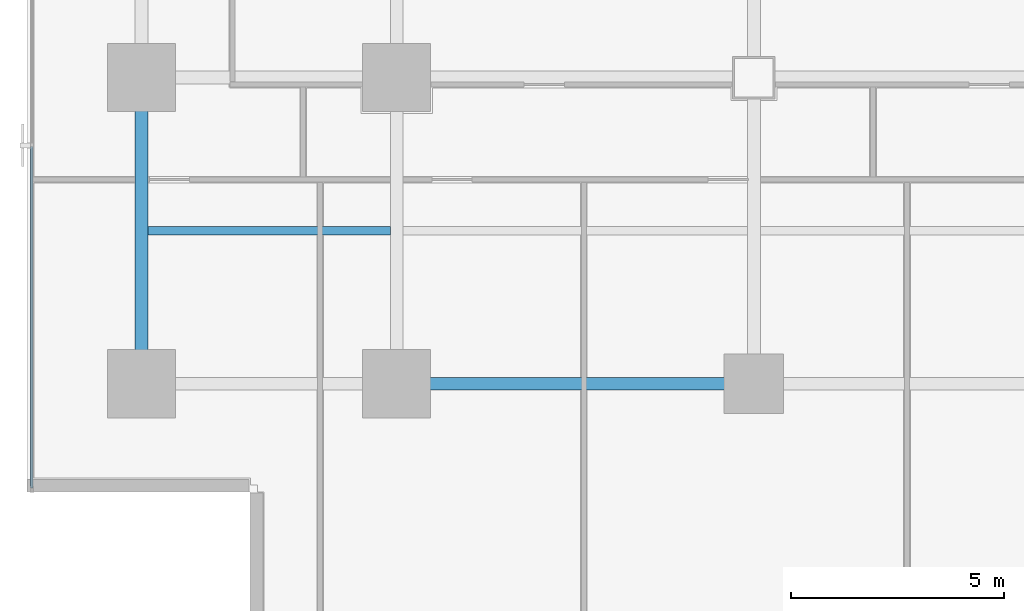
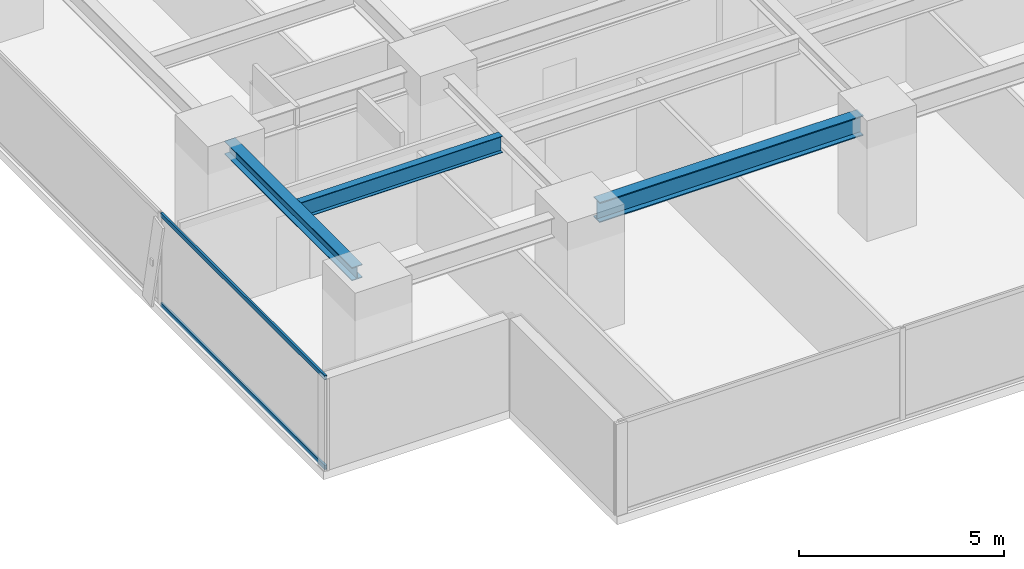
# One storey, part 3 of 37: 3 beams, 2 members, 1 element without a shape of its own.
"""IFC4 building model written with IfcOpenShell, lengths in metres."""

import ifcopenshell
import ifcopenshell.guid

model = None  # the IFC model being written
_history = None  # IfcOwnerHistory: only IFC2X3 demands one
_inside = {}  # id of a spatial element -> (the spatial element, [elements in it])
_under = {}  # id of a project, library or spatial element -> (it, [spatial elements below it])
_declared = {}  # id of a project -> (the project, [libraries it declares])
_typed = {}  # id of a type object -> (the type object, [elements of that type])
_made_of = {}  # id of a material, layer set ... -> (it, [elements and type objects made of it])


def new_model(schema):
    """Start an empty IFC model of exactly this schema.

    Asked for "IFC4X3", IfcOpenShell would pick the latest addendum, in which some entities
    have other attributes; the version numbers below select the first issue.
    IFC2X3 requires an IfcOwnerHistory on every rooted entity: one is made here for all.
    """
    global model, _history
    if schema == "IFC4X3":
        model = ifcopenshell.file(schema_version=(4, 3, 0, 0))
    else:
        model = ifcopenshell.file(schema=schema)
    _inside.clear()
    _under.clear()
    _declared.clear()
    _typed.clear()
    _made_of.clear()
    _history = None
    if model.schema == "IFC2X3":
        org = make("IfcOrganization", Name="unknown")
        user = make(
            "IfcPersonAndOrganization",
            ThePerson=make("IfcPerson", FamilyName="unknown"),
            TheOrganization=org,
        )
        app = make(
            "IfcApplication",
            ApplicationDeveloper=org,
            Version="unknown",
            ApplicationFullName="unknown",
            ApplicationIdentifier="unknown",
        )
        _history = make(
            "IfcOwnerHistory",
            OwningUser=user,
            OwningApplication=app,
            ChangeAction="ADDED",
            CreationDate=0,
        )
    return model


def make(cls, **values):
    """One entity of the class cls with the attributes given. An attribute that is None is left unset."""
    return model.create_entity(
        cls, **{name: value for name, value in values.items() if value is not None}
    )


def rooted(cls, **values):
    """An entity with a GlobalId (a new one), such as an element, a storey or a relation."""
    return make(cls, GlobalId=ifcopenshell.guid.new(), OwnerHistory=_history, **values)


def si_unit(unit_type, name, prefix=None):
    """IfcSIUnit, for example si_unit("LENGTHUNIT", "METRE", prefix="MILLI")."""
    return make("IfcSIUnit", UnitType=unit_type, Prefix=prefix, Name=name)


def assignment(units):
    """IfcUnitAssignment: the units of a project."""
    return None if units is None else make("IfcUnitAssignment", Units=units)


def point(xyz):
    """IfcCartesianPoint."""
    return None if xyz is None else make("IfcCartesianPoint", Coordinates=xyz)


def direction(xyz):
    """IfcDirection."""
    return None if xyz is None else make("IfcDirection", DirectionRatios=xyz)


def frame(location, z_axis=None, x_axis=None):
    """IfcAxis2Placement3D, a coordinate frame: its origin and axes. An axis left out is left unset."""
    return make(
        "IfcAxis2Placement3D",
        Location=point(location),
        Axis=direction(z_axis),
        RefDirection=direction(x_axis),
    )


def frame_2d(location, x_axis=None):
    """IfcAxis2Placement2D, a coordinate frame in the plane: its origin and x axis."""
    return make(
        "IfcAxis2Placement2D", Location=point(location), RefDirection=direction(x_axis)
    )


def origin():
    """The frame at (0, 0, 0) with its axes left unset."""
    return frame((0.0, 0.0, 0.0))


def origin_2d():
    """The frame at (0, 0) in the plane with its x axis left unset."""
    return frame_2d((0.0, 0.0))


def place(relative_to, where):
    """IfcLocalPlacement: puts the frame where relative to a parent placement (None: the world)."""
    return make(
        "IfcLocalPlacement", PlacementRelTo=relative_to, RelativePlacement=where
    )


def context(
    kind, dimensions, precision=None, world=None, true_north=None, identifier=None
):
    """IfcGeometricRepresentationContext, for example the 3D "Model" context."""
    return make(
        "IfcGeometricRepresentationContext",
        ContextIdentifier=identifier,
        ContextType=kind,
        CoordinateSpaceDimension=dimensions,
        Precision=precision,
        WorldCoordinateSystem=world,
        TrueNorth=true_north,
    )


def subcontext(parent, identifier, kind, view, scale=None):
    """IfcGeometricRepresentationSubContext, for example "Body" below "Model"."""
    return make(
        "IfcGeometricRepresentationSubContext",
        ContextIdentifier=identifier,
        ContextType=kind,
        ParentContext=parent,
        TargetScale=scale,
        TargetView=view,
    )


def project(units=None, contexts=None):
    """IfcProject with its units and contexts."""
    return rooted(
        "IfcProject",
        Name="project",
        RepresentationContexts=contexts,
        UnitsInContext=assignment(units),
    )


def spatial(cls, under=None, at=None, **own):
    """A site, building, storey or space (cls), placed at a placement, below another one or the project."""
    s = rooted(cls, ObjectPlacement=at, **own)
    if under is not None:
        _under.setdefault(under.id(), (under, []))[1].append(s)
    return s


def profile(cls, at=None, kind="AREA", **sizes):
    """A parametric profile (cls). Its sizes go by their IFC names, for example OverallWidth=200.0."""
    return make(cls, ProfileType=kind, Position=at, **sizes)


def hollow_rectangle(**sizes):
    """IfcRectangleHollowProfileDef."""
    return profile("IfcRectangleHollowProfileDef", **sizes)


def i_section(**sizes):
    """IfcIShapeProfileDef."""
    return profile("IfcIShapeProfileDef", **sizes)


def extrude(swept, where, along, depth):
    """IfcExtrudedAreaSolid: the profile swept, set in the frame where, extruded along a direction by depth."""
    return make(
        "IfcExtrudedAreaSolid",
        SweptArea=swept,
        Position=where,
        ExtrudedDirection=direction(along),
        Depth=depth,
    )


def shape(context_of_items, identifier, shape_type, items):
    """IfcShapeRepresentation: the items that make up one representation, for example the "Body"."""
    return make(
        "IfcShapeRepresentation",
        ContextOfItems=context_of_items,
        RepresentationIdentifier=identifier,
        RepresentationType=shape_type,
        Items=items,
    )


def source(mapping_origin, context_of_items, identifier, shape_type, items):
    """IfcRepresentationMap: a shape defined once, which mapped items show again and again."""
    return make(
        "IfcRepresentationMap",
        MappingOrigin=mapping_origin,
        MappedRepresentation=shape(context_of_items, identifier, shape_type, items),
    )


def transform(
    local_origin,
    x_axis=None,
    y_axis=None,
    z_axis=None,
    scale=None,
    scale2=None,
    scale3=None,
    uniform=True,
):
    """IfcCartesianTransformationOperator3D, or its non-uniform kind. x_axis, y_axis, z_axis: its Axis1, 2, 3."""
    if uniform:
        return make(
            "IfcCartesianTransformationOperator3D",
            Axis1=direction(x_axis),
            Axis2=direction(y_axis),
            LocalOrigin=point(local_origin),
            Scale=scale,
            Axis3=direction(z_axis),
        )
    return make(
        "IfcCartesianTransformationOperator3DnonUniform",
        Axis1=direction(x_axis),
        Axis2=direction(y_axis),
        LocalOrigin=point(local_origin),
        Scale=scale,
        Axis3=direction(z_axis),
        Scale2=scale2,
        Scale3=scale3,
    )


def mapped(mapping_source, mapping_target):
    """IfcMappedItem: shows the shape of a source again, moved by a transform."""
    return make(
        "IfcMappedItem", MappingSource=mapping_source, MappingTarget=mapping_target
    )


def material(Name=None, Category=None):
    """IfcMaterial."""
    return make("IfcMaterial", Name=Name, Category=Category)


def layer(
    of_material, thickness, ventilated=None, Name=None, Category=None, Priority=None
):
    """IfcMaterialLayer: one layer of a wall or slab, of a material (None: an air gap)."""
    return make(
        "IfcMaterialLayer",
        Material=of_material,
        LayerThickness=thickness,
        IsVentilated=ventilated,
        Name=Name,
        Category=Category,
        Priority=Priority,
    )


def layer_set(layers, Name=None):
    """IfcMaterialLayerSet."""
    return make("IfcMaterialLayerSet", MaterialLayers=layers, LayerSetName=Name)


def material_profile(
    of_material, cross_section, Name=None, Category=None, Priority=None
):
    """IfcMaterialProfile: a cross section and its material."""
    return make(
        "IfcMaterialProfile",
        Name=Name,
        Material=of_material,
        Profile=cross_section,
        Priority=Priority,
        Category=Category,
    )


def profile_set(profiles, Name=None, composite=None):
    """IfcMaterialProfileSet."""
    return make(
        "IfcMaterialProfileSet",
        Name=Name,
        MaterialProfiles=profiles,
        CompositeProfile=composite,
    )


def made_of(thing, what):
    """Note that an element or type object is made of a material, layer set ...; save() writes the relation."""
    if what is not None:
        _made_of.setdefault(what.id(), (what, []))[1].append(thing)
    return thing


def type_object(cls, material=None, **own):
    """A type object (cls), such as IfcWallType, which elements share."""
    return made_of(rooted(cls, **own), material)


def element(
    cls,
    number,
    at=None,
    inside=None,
    cuts=None,
    type_object=None,
    material=None,
    context=None,
    identifier="Body",
    shape_type=None,
    held_by="IfcProductDefinitionShape",
    body=None,
    shapes=None,
    **own,
):
    """One element of the class cls, such as IfcWall. Its Tag is "e" and its number.

    at: its placement. inside: the storey or other place that contains it. cuts: it is an
    opening in that element (IfcRelVoidsElement). A single representation is given by context,
    identifier, shape_type and body (its items); several are given by shapes. held_by: the class
    of the entity that holds the representations. save() writes the other relations.
    """
    e = rooted(cls, Tag="e%d" % number, ObjectPlacement=at, **own)
    if body is not None:
        shapes = [shape(context, identifier, shape_type, body)]
    if shapes is not None:
        e.Representation = make(held_by, Representations=shapes)
    if inside is not None:
        _inside.setdefault(inside.id(), (inside, []))[1].append(e)
    if cuts is not None:
        rooted(
            "IfcRelVoidsElement", RelatingBuildingElement=cuts, RelatedOpeningElement=e
        )
    if type_object is not None:
        _typed.setdefault(type_object.id(), (type_object, []))[1].append(e)
    return made_of(e, material)


def aggregate(whole, parts):
    """IfcRelAggregates: a whole, such as a stair, and the parts it consists of."""
    return rooted("IfcRelAggregates", RelatingObject=whole, RelatedObjects=parts)


def save(model, path):
    """Write the relations noted so far, then the file.

    IfcRelAggregates (storeys below a building ...), IfcRelContainedInSpatialStructure (elements
    in a storey), IfcRelDefinesByType, IfcRelAssociatesMaterial and IfcRelDeclares: one each for
    every whole, place, type object, material and project.
    """
    for whole, parts in _under.values():
        aggregate(whole, parts)
    for where, things in _inside.values():
        rooted(
            "IfcRelContainedInSpatialStructure",
            RelatedElements=things,
            RelatingStructure=where,
        )
    for kind, things in _typed.values():
        rooted("IfcRelDefinesByType", RelatedObjects=things, RelatingType=kind)
    for what, things in _made_of.values():
        rooted("IfcRelAssociatesMaterial", RelatedObjects=things, RelatingMaterial=what)
    for by, libraries in _declared.values():
        rooted("IfcRelDeclares", RelatingContext=by, RelatedDefinitions=libraries)
    model.write(path)


model = new_model("IFC4")

# Units and contexts
model_context = context("Model", 3, precision=1e-05, world=origin(), true_north=direction((0.0, 1.0)))
body_context = subcontext(model_context, "Body", "Model", "MODEL_VIEW")
ifc_project = project(units=[si_unit("LENGTHUNIT", "METRE"), si_unit("AREAUNIT", "SQUARE_METRE"), si_unit("VOLUMEUNIT", "CUBIC_METRE"), si_unit("PLANEANGLEUNIT", "RADIAN"), si_unit("MASSUNIT", "GRAM", prefix="KILO")], contexts=[model_context])

# Site, building, storey
site_placement = place(None, origin())
site = spatial("IfcSite", under=ifc_project, at=site_placement, CompositionType="ELEMENT")
building_placement = place(site_placement, origin())
building = spatial("IfcBuilding", under=site, at=building_placement, Name="Sumidabori Civic Tower", CompositionType="ELEMENT")
storey_placement = place(building_placement, frame((0.0, 0.0, 88.39990234375)))
storey = spatial("IfcBuildingStorey", under=building, at=storey_placement, Name="L22", CompositionType="ELEMENT", Elevation=88.39990234375)

# Beams
ifc_material_1 = material(Name="Steel SN490", Category="steel")
ifc_material_profile_1 = material_profile(ifc_material_1, i_section(OverallWidth=0.300048828125, OverallDepth=0.60009765625, WebThickness=0.015380859375, FlangeThickness=0.030029296875, at=origin_2d()), Name="HE 600 B")
ifc_profile_set_1 = profile_set([ifc_material_profile_1], Name="Steel SN490")
beam_type_1 = type_object("IfcBeamType", Name="BM-GIRD-600", PredefinedType="BEAM", material=ifc_profile_set_1)
shared_shape_1 = source(origin(), body_context, "Body", "SweptSolid", [
    extrude(i_section(OverallWidth=0.300048828125, OverallDepth=0.60009765625, WebThickness=0.015380859375, FlangeThickness=0.030029296875, at=origin_2d()), origin(), (0.0, 0.0, 1.0), 7.440185546875),
])
beam_1_placement = place(storey_placement, frame((-16.320068359375, -18.0, 3.06005859375), z_axis=(1.0, 0.0, 0.0), x_axis=(0.0, 1.0, 0.0)))
element("IfcBeam", 1, at=beam_1_placement, inside=storey, type_object=beam_type_1, Name="Primary Girder L22 GX-02", PredefinedType="BEAM", context=body_context, shape_type="MappedRepresentation", body=[
    mapped(shared_shape_1, transform((0.0, 0.0, 0.0), x_axis=(1.0, 0.0, 0.0), y_axis=(0.0, 1.0, 0.0), z_axis=(0.0, 0.0, 1.0), scale=1.0)),
])
ifc_material_profile_2 = material_profile(ifc_material_1, i_section(OverallWidth=0.300048828125, OverallDepth=0.39990234375, WebThickness=0.013427734375, FlangeThickness=0.02392578125, at=origin_2d()), Name="HE 400 B")
ifc_profile_set_2 = profile_set([ifc_material_profile_2], Name="Steel SN490")
beam_type_2 = type_object("IfcBeamType", Name="BM-GIRD-400", PredefinedType="BEAM", material=ifc_profile_set_2)
shared_shape_2 = source(origin(), body_context, "Body", "SweptSolid", [
    extrude(i_section(OverallWidth=0.300048828125, OverallDepth=0.39990234375, WebThickness=0.013427734375, FlangeThickness=0.02392578125, at=origin_2d()), origin(), (0.0, 0.0, 1.0), 6.239990234375),
])
beam_2_placement = place(storey_placement, frame((-22.800048828125, -17.52001953125, 3.16015625), z_axis=(0.0, 1.0, 0.0), x_axis=(-1.0, 0.0, 0.0)))
element("IfcBeam", 2, at=beam_2_placement, inside=storey, type_object=beam_type_2, Name="Primary Girder L22 GY-21", PredefinedType="BEAM", context=body_context, shape_type="MappedRepresentation", body=[
    mapped(shared_shape_2, transform((0.0, 0.0, 0.0), x_axis=(1.0, 0.0, 0.0), y_axis=(0.0, 1.0, 0.0), z_axis=(0.0, 0.0, 1.0), scale=1.0)),
])
ifc_material_profile_3 = material_profile(ifc_material_1, i_section(OverallWidth=0.199951171875, OverallDepth=0.5, WebThickness=0.01025390625, FlangeThickness=0.01611328125, at=origin_2d()), Name="IPE 500")
ifc_profile_set_3 = profile_set([ifc_material_profile_3], Name="Steel SN490")
beam_type_3 = type_object("IfcBeamType", Name="BM-JST-500", PredefinedType="JOIST", material=ifc_profile_set_3)
shared_shape_3 = source(origin(), body_context, "Body", "SweptSolid", [
    extrude(i_section(OverallWidth=0.199951171875, OverallDepth=0.5, WebThickness=0.01025390625, FlangeThickness=0.01611328125, at=origin_2d()), origin(), (0.0, 0.0, 1.0), 5.699951171875),
])
beam_3_placement = place(storey_placement, frame((-22.64990234375, -14.39990234375, 3.110107421875), z_axis=(1.0, 0.0, 0.0), x_axis=(0.0, 1.0, 0.0)))
element("IfcBeam", 3, at=beam_3_placement, inside=storey, type_object=beam_type_3, Name="Outer Bay Floor Joist L22 JSTO-51", PredefinedType="JOIST", context=body_context, shape_type="MappedRepresentation", body=[
    mapped(shared_shape_3, transform((0.0, 0.0, 0.0), x_axis=(1.0, 0.0, 0.0), y_axis=(0.0, 1.0, 0.0), z_axis=(0.0, 0.0, 1.0), scale=1.0)),
])

# Curtain wall, members
ifc_material_2 = material(Name="Anodised Bronze Aluminium AW-6063-T6", Category="aluminium")
ifc_layer = layer(ifc_material_2, 0.179931640625, Name="Anodised Bronze Aluminium AW-6063-T6")
ifc_layer_set = layer_set([ifc_layer], Name="Anodised Bronze Aluminium AW-6063-T6")
curtain_wall_type = type_object("IfcCurtainWallType", Name="CW-SYS-3", PredefinedType="NOTDEFINED", material=ifc_layer_set)
curtain_wall_placement = place(storey_placement, origin())
curtain_wall = element("IfcCurtainWall", 4, at=curtain_wall_placement, inside=storey, type_object=curtain_wall_type, Name="Curtain Wall CW:L22:R10", PredefinedType="NOTDEFINED")
ifc_material_profile_4 = material_profile(ifc_material_2, hollow_rectangle(XDim=0.06005859375, YDim=0.1298828125, WallThickness=0.0048828125, at=origin_2d()), Name="ALU TRANSOM 130x60")
ifc_profile_set_4 = profile_set([ifc_material_profile_4], Name="Anodised Bronze Aluminium AW-6063-T6")
member_type = type_object("IfcMemberType", Name="CW-TRN-130", PredefinedType="USERDEFINED", material=ifc_profile_set_4)
shared_shape_4 = source(origin(), body_context, "Body", "SweptSolid", [
    extrude(hollow_rectangle(XDim=0.06005859375, YDim=0.1298828125, WallThickness=0.0048828125, at=origin_2d()), origin(), (0.0, 0.0, 1.0), 8.030517578125),
])
member_1_placement = place(storey_placement, frame((-25.3798828125, -12.424560546875, 0.030029296875), z_axis=(0.0, -1.0, 0.0), x_axis=(1.0, 0.0, 0.0)))
member_1 = element("IfcMember", 5, at=member_1_placement, type_object=member_type, Name="CW-3 transom 5.1", ObjectType="TRANSOM", PredefinedType="USERDEFINED", context=body_context, shape_type="MappedRepresentation", body=[
    mapped(shared_shape_4, transform((0.0, 0.0, 0.0), x_axis=(1.0, 0.0, 0.0), y_axis=(0.0, 1.0, 0.0), z_axis=(0.0, 0.0, 1.0), scale=1.0)),
])
member_2_placement = place(storey_placement, frame((-25.3798828125, -12.424560546875, 2.710205078125), z_axis=(0.0, -1.0, 0.0), x_axis=(1.0, 0.0, 0.0)))
member_2 = element("IfcMember", 6, at=member_2_placement, type_object=member_type, Name="CW-3 transom 5.2", ObjectType="TRANSOM", PredefinedType="USERDEFINED", context=body_context, shape_type="MappedRepresentation", body=[
    mapped(shared_shape_4, transform((0.0, 0.0, 0.0), x_axis=(1.0, 0.0, 0.0), y_axis=(0.0, 1.0, 0.0), z_axis=(0.0, 0.0, 1.0), scale=1.0)),
])
aggregate(curtain_wall, [member_1, member_2])

save(model, "model.ifc")
